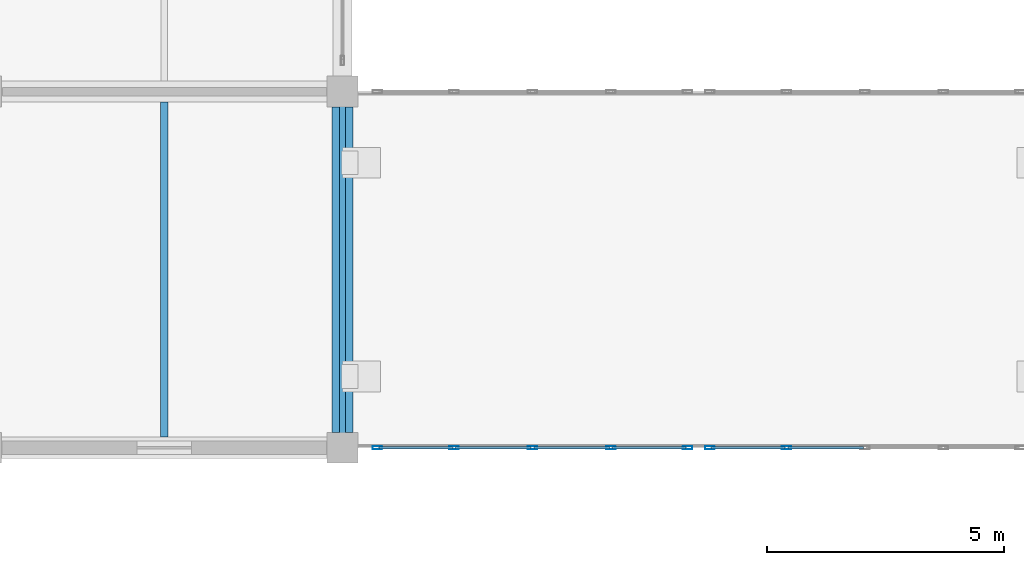
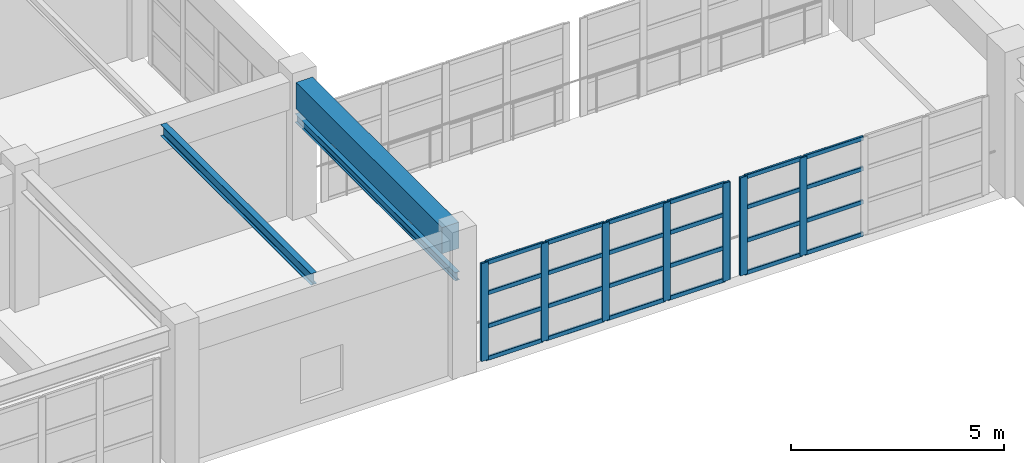
# One storey, part 47 of 132: 31 members, 3 beams, 2 elements without a shape of their own.
"""IFC4 building model written with IfcOpenShell, lengths in metres."""

from ifc_helpers import new_model, si_unit, direction, frame, origin, origin_2d, place, context, subcontext, project, spatial, rectangle, hollow_rectangle, i_section, extrude, material, material_profile, profile_set, type_object, element, aggregate, save


model = new_model("IFC4")

# Units and contexts
model_context = context("Model", 3, precision=1e-05, world=origin(), true_north=direction((0.0, 1.0)))
body_context = subcontext(model_context, "Body", "Model", "MODEL_VIEW")
ifc_project = project(units=[si_unit("LENGTHUNIT", "METRE"), si_unit("AREAUNIT", "SQUARE_METRE"), si_unit("VOLUMEUNIT", "CUBIC_METRE"), si_unit("PLANEANGLEUNIT", "RADIAN"), si_unit("MASSUNIT", "GRAM", prefix="KILO")], contexts=[model_context])

# Site, building, storey
site_placement = place(None, origin())
site = spatial("IfcSite", under=ifc_project, at=site_placement, CompositionType="ELEMENT")
building_placement = place(site_placement, origin())
building = spatial("IfcBuilding", under=site, at=building_placement, Name="Qasida Concert Hall", CompositionType="ELEMENT")
storey_placement = place(building_placement, frame((0.0, 0.0, 4.800048828125)))
storey = spatial("IfcBuildingStorey", under=building, at=storey_placement, Name="L01", CompositionType="ELEMENT", Elevation=4.800048828125)

# Beams
ifc_material_1 = material(Name="Steel S355J2", Category="steel")
ifc_material_profile_1 = material_profile(ifc_material_1, i_section(OverallWidth=0.159912109375, OverallDepth=0.330078125, WebThickness=0.007568359375, FlangeThickness=0.011474609375, FilletRadius=0.01806640625, at=origin_2d()), Name="IPE 330")
ifc_profile_set_1 = profile_set([ifc_material_profile_1], Name="Steel S355J2")
beam_type_1 = type_object("IfcBeamType", Name="BM-J5", PredefinedType="JOIST", material=ifc_profile_set_1)
beam_1_placement = place(storey_placement, frame((33.75, 75.22509765625, 3.7548828125), z_axis=(0.0, 1.0, 0.0), x_axis=(-1.0, 0.0, 0.0)))
element("IfcBeam", 1, at=beam_1_placement, inside=storey, type_object=beam_type_1, Name="L01 secondary joist 1132", PredefinedType="JOIST", context=body_context, shape_type="SweptSolid", body=[
    extrude(i_section(OverallWidth=0.159912109375, OverallDepth=0.330078125, WebThickness=0.007568359375, FlangeThickness=0.011474609375, FilletRadius=0.01806640625, at=origin_2d()), origin(), (0.0, 0.0, 1.0), 7.0498046875),
])
ifc_material_profile_2 = material_profile(ifc_material_1, i_section(OverallWidth=0.1201171875, OverallDepth=0.239990234375, WebThickness=0.006103515625, FlangeThickness=0.009765625, FilletRadius=0.014892578125, at=origin_2d()), Name="IPE 240")
ifc_profile_set_2 = profile_set([ifc_material_profile_2], Name="Steel S355J2")
beam_type_2 = type_object("IfcBeamType", Name="BM-LN2", PredefinedType="LINTEL", material=ifc_profile_set_2)
beam_2_placement = place(storey_placement, frame((37.5, 75.0, 2.64990234375), z_axis=(0.0, 1.0, 0.0), x_axis=(-1.0, 0.0, 0.0)))
element("IfcBeam", 2, at=beam_2_placement, inside=storey, type_object=beam_type_2, Name="L01 portal lintel beam 010", PredefinedType="LINTEL", context=body_context, shape_type="SweptSolid", body=[
    extrude(i_section(OverallWidth=0.1201171875, OverallDepth=0.239990234375, WebThickness=0.006103515625, FlangeThickness=0.009765625, FilletRadius=0.014892578125, at=origin_2d()), origin(), (0.0, 0.0, 1.0), 7.5),
])
ifc_material_2 = material(Name="Concrete C40/50", Category="concrete")
ifc_material_profile_3 = material_profile(ifc_material_2, rectangle(XDim=0.449951171875, YDim=0.75, at=origin_2d()), Name="RC 450x750")
ifc_profile_set_3 = profile_set([ifc_material_profile_3], Name="Concrete C40/50")
beam_type_3 = type_object("IfcBeamType", Name="BM-SP4", PredefinedType="SPANDREL", material=ifc_profile_set_3)
beam_3_placement = place(storey_placement, frame((37.5, 75.324951171875, 3.544921875), z_axis=(0.0, 1.0, 0.0), x_axis=(-1.0, 0.0, 0.0)))
element("IfcBeam", 3, at=beam_3_placement, inside=storey, type_object=beam_type_3, Name="L01 girder 1109", PredefinedType="SPANDREL", context=body_context, shape_type="SweptSolid", body=[
    extrude(rectangle(XDim=0.449951171875, YDim=0.75, at=origin_2d()), origin(), (0.0, 0.0, 1.0), 6.85009765625),
])

# Curtain wall, members
ifc_material_3 = material(Name="Architectural bronze-anodized aluminium and low-E glass", Category="aluminium")
curtain_wall_type = type_object("IfcCurtainWallType", Name="CW-08", PredefinedType="NOTDEFINED", material=ifc_material_3)
curtain_wall_1_placement = place(storey_placement, origin())
curtain_wall_1 = element("IfcCurtainWall", 4, at=curtain_wall_1_placement, inside=storey, type_object=curtain_wall_type, Name="L01 link bridge glazing 0214", PredefinedType="NOTDEFINED")
ifc_material_4 = material(Name="Architectural bronze-anodized aluminium EN AW-6063", Category="aluminium")
ifc_material_profile_4 = material_profile(ifc_material_4, hollow_rectangle(XDim=0.06494140625, YDim=0.199951171875, WallThickness=0.0048828125, InnerFilletRadius=0.0048828125, OuterFilletRadius=0.010009765625, at=origin_2d()), Name="CWM 200x65x5")
ifc_profile_set_4 = profile_set([ifc_material_profile_4], Name="Architectural bronze-anodized aluminium EN AW-6063")
member_type_1 = type_object("IfcMemberType", Name="MB-CWM-2", PredefinedType="MULLION", material=ifc_profile_set_4)
member_1_placement = place(storey_placement, frame((38.232421875, 75.0, 0.0), z_axis=(0.0, 0.0, 1.0), x_axis=(0.0, 1.0, 0.0)))
member_1 = element("IfcMember", 5, at=member_1_placement, type_object=member_type_1, Name="CW-08 mullion 1", PredefinedType="MULLION", context=body_context, shape_type="SweptSolid", body=[
    extrude(hollow_rectangle(XDim=0.06494140625, YDim=0.199951171875, WallThickness=0.0048828125, InnerFilletRadius=0.0048828125, OuterFilletRadius=0.010009765625, at=origin_2d()), origin(), (0.0, 0.0, 1.0), 2.800048828125),
])
member_2_placement = place(storey_placement, frame((39.85009765625, 75.0, 0.0), z_axis=(0.0, 0.0, 1.0), x_axis=(0.0, 1.0, 0.0)))
member_2 = element("IfcMember", 6, at=member_2_placement, type_object=member_type_1, Name="CW-08 mullion 2", PredefinedType="MULLION", context=body_context, shape_type="SweptSolid", body=[
    extrude(hollow_rectangle(XDim=0.06494140625, YDim=0.199951171875, WallThickness=0.0048828125, InnerFilletRadius=0.0048828125, OuterFilletRadius=0.010009765625, at=origin_2d()), origin(), (0.0, 0.0, 1.0), 2.800048828125),
])
member_3_placement = place(storey_placement, frame((41.5, 75.0, 0.0), z_axis=(0.0, 0.0, 1.0), x_axis=(0.0, 1.0, 0.0)))
member_3 = element("IfcMember", 7, at=member_3_placement, type_object=member_type_1, Name="CW-08 mullion 3", PredefinedType="MULLION", context=body_context, shape_type="SweptSolid", body=[
    extrude(hollow_rectangle(XDim=0.06494140625, YDim=0.199951171875, WallThickness=0.0048828125, InnerFilletRadius=0.0048828125, OuterFilletRadius=0.010009765625, at=origin_2d()), origin(), (0.0, 0.0, 1.0), 2.800048828125),
])
member_4_placement = place(storey_placement, frame((43.14990234375, 75.0, 0.0), z_axis=(0.0, 0.0, 1.0), x_axis=(0.0, 1.0, 0.0)))
member_4 = element("IfcMember", 8, at=member_4_placement, type_object=member_type_1, Name="CW-08 mullion 4", PredefinedType="MULLION", context=body_context, shape_type="SweptSolid", body=[
    extrude(hollow_rectangle(XDim=0.06494140625, YDim=0.199951171875, WallThickness=0.0048828125, InnerFilletRadius=0.0048828125, OuterFilletRadius=0.010009765625, at=origin_2d()), origin(), (0.0, 0.0, 1.0), 2.800048828125),
])
member_5_placement = place(storey_placement, frame((44.767578125, 75.0, 0.0), z_axis=(0.0, 0.0, 1.0), x_axis=(0.0, 1.0, 0.0)))
member_5 = element("IfcMember", 9, at=member_5_placement, type_object=member_type_1, Name="CW-08 mullion 5", PredefinedType="MULLION", context=body_context, shape_type="SweptSolid", body=[
    extrude(hollow_rectangle(XDim=0.06494140625, YDim=0.199951171875, WallThickness=0.0048828125, InnerFilletRadius=0.0048828125, OuterFilletRadius=0.010009765625, at=origin_2d()), origin(), (0.0, 0.0, 1.0), 2.800048828125),
])

curtain_wall_2_placement = place(storey_placement, origin())
curtain_wall_2 = element("IfcCurtainWall", 10, at=curtain_wall_2_placement, inside=storey, type_object=curtain_wall_type, Name="L01 link bridge glazing 0216", PredefinedType="NOTDEFINED")
member_6_placement = place(storey_placement, frame((45.232421875, 75.0, 0.0), z_axis=(0.0, 0.0, 1.0), x_axis=(0.0, 1.0, 0.0)))
member_6 = element("IfcMember", 11, at=member_6_placement, type_object=member_type_1, Name="CW-08 mullion 1", PredefinedType="MULLION", context=body_context, shape_type="SweptSolid", body=[
    extrude(hollow_rectangle(XDim=0.06494140625, YDim=0.199951171875, WallThickness=0.0048828125, InnerFilletRadius=0.0048828125, OuterFilletRadius=0.010009765625, at=origin_2d()), origin(), (0.0, 0.0, 1.0), 2.800048828125),
])
member_7_placement = place(storey_placement, frame((46.85009765625, 75.0, 0.0), z_axis=(0.0, 0.0, 1.0), x_axis=(0.0, 1.0, 0.0)))
member_7 = element("IfcMember", 12, at=member_7_placement, type_object=member_type_1, Name="CW-08 mullion 2", PredefinedType="MULLION", context=body_context, shape_type="SweptSolid", body=[
    extrude(hollow_rectangle(XDim=0.06494140625, YDim=0.199951171875, WallThickness=0.0048828125, InnerFilletRadius=0.0048828125, OuterFilletRadius=0.010009765625, at=origin_2d()), origin(), (0.0, 0.0, 1.0), 2.800048828125),
])

# Member
ifc_material_profile_5 = material_profile(ifc_material_4, hollow_rectangle(XDim=0.06005859375, YDim=0.1201171875, WallThickness=0.00390625, InnerFilletRadius=0.00390625, OuterFilletRadius=0.008056640625, at=origin_2d()), Name="CWT 120x60x4")
ifc_profile_set_5 = profile_set([ifc_material_profile_5], Name="Architectural bronze-anodized aluminium EN AW-6063")
member_type_2 = type_object("IfcMemberType", Name="MB-CWT-2", PredefinedType="USERDEFINED", material=ifc_profile_set_5)
member_8_placement = place(storey_placement, frame((38.264892578125, 75.0, 0.030029296875), z_axis=(1.0, 0.0, 0.0), x_axis=(0.0, 1.0, 0.0)))
member_8 = element("IfcMember", 13, at=member_8_placement, type_object=member_type_2, Name="CW-08 transom 1.1", ObjectType="TRANSOM", PredefinedType="USERDEFINED", context=body_context, shape_type="SweptSolid", body=[
    extrude(hollow_rectangle(XDim=0.06005859375, YDim=0.1201171875, WallThickness=0.00390625, InnerFilletRadius=0.00390625, OuterFilletRadius=0.008056640625, at=origin_2d()), origin(), (0.0, 0.0, 1.0), 1.552490234375),
])

member_9_placement = place(storey_placement, frame((38.264892578125, 75.0, 0.949951171875), z_axis=(1.0, 0.0, 0.0), x_axis=(0.0, 1.0, 0.0)))
member_9 = element("IfcMember", 14, at=member_9_placement, type_object=member_type_2, Name="CW-08 transom 1.2", ObjectType="TRANSOM", PredefinedType="USERDEFINED", context=body_context, shape_type="SweptSolid", body=[
    extrude(hollow_rectangle(XDim=0.06005859375, YDim=0.1201171875, WallThickness=0.00390625, InnerFilletRadius=0.00390625, OuterFilletRadius=0.008056640625, at=origin_2d()), origin(), (0.0, 0.0, 1.0), 1.552490234375),
])

member_10_placement = place(storey_placement, frame((38.264892578125, 75.0, 1.89990234375), z_axis=(1.0, 0.0, 0.0), x_axis=(0.0, 1.0, 0.0)))
member_10 = element("IfcMember", 15, at=member_10_placement, type_object=member_type_2, Name="CW-08 transom 1.3", ObjectType="TRANSOM", PredefinedType="USERDEFINED", context=body_context, shape_type="SweptSolid", body=[
    extrude(hollow_rectangle(XDim=0.06005859375, YDim=0.1201171875, WallThickness=0.00390625, InnerFilletRadius=0.00390625, OuterFilletRadius=0.008056640625, at=origin_2d()), origin(), (0.0, 0.0, 1.0), 1.552490234375),
])

member_11_placement = place(storey_placement, frame((38.264892578125, 75.0, 2.77001953125), z_axis=(1.0, 0.0, 0.0), x_axis=(0.0, 1.0, 0.0)))
member_11 = element("IfcMember", 16, at=member_11_placement, type_object=member_type_2, Name="CW-08 transom 1.4", ObjectType="TRANSOM", PredefinedType="USERDEFINED", context=body_context, shape_type="SweptSolid", body=[
    extrude(hollow_rectangle(XDim=0.06005859375, YDim=0.1201171875, WallThickness=0.00390625, InnerFilletRadius=0.00390625, OuterFilletRadius=0.008056640625, at=origin_2d()), origin(), (0.0, 0.0, 1.0), 1.552490234375),
])

member_12_placement = place(storey_placement, frame((39.882568359375, 75.0, 0.030029296875), z_axis=(1.0, 0.0, 0.0), x_axis=(0.0, 1.0, 0.0)))
member_12 = element("IfcMember", 17, at=member_12_placement, type_object=member_type_2, Name="CW-08 transom 2.1", ObjectType="TRANSOM", PredefinedType="USERDEFINED", context=body_context, shape_type="SweptSolid", body=[
    extrude(hollow_rectangle(XDim=0.06005859375, YDim=0.1201171875, WallThickness=0.00390625, InnerFilletRadius=0.00390625, OuterFilletRadius=0.008056640625, at=origin_2d()), origin(), (0.0, 0.0, 1.0), 1.5849609375),
])

member_13_placement = place(storey_placement, frame((39.882568359375, 75.0, 0.949951171875), z_axis=(1.0, 0.0, 0.0), x_axis=(0.0, 1.0, 0.0)))
member_13 = element("IfcMember", 18, at=member_13_placement, type_object=member_type_2, Name="CW-08 transom 2.2", ObjectType="TRANSOM", PredefinedType="USERDEFINED", context=body_context, shape_type="SweptSolid", body=[
    extrude(hollow_rectangle(XDim=0.06005859375, YDim=0.1201171875, WallThickness=0.00390625, InnerFilletRadius=0.00390625, OuterFilletRadius=0.008056640625, at=origin_2d()), origin(), (0.0, 0.0, 1.0), 1.5849609375),
])

member_14_placement = place(storey_placement, frame((39.882568359375, 75.0, 1.89990234375), z_axis=(1.0, 0.0, 0.0), x_axis=(0.0, 1.0, 0.0)))
member_14 = element("IfcMember", 19, at=member_14_placement, type_object=member_type_2, Name="CW-08 transom 2.3", ObjectType="TRANSOM", PredefinedType="USERDEFINED", context=body_context, shape_type="SweptSolid", body=[
    extrude(hollow_rectangle(XDim=0.06005859375, YDim=0.1201171875, WallThickness=0.00390625, InnerFilletRadius=0.00390625, OuterFilletRadius=0.008056640625, at=origin_2d()), origin(), (0.0, 0.0, 1.0), 1.5849609375),
])

member_15_placement = place(storey_placement, frame((39.882568359375, 75.0, 2.77001953125), z_axis=(1.0, 0.0, 0.0), x_axis=(0.0, 1.0, 0.0)))
member_15 = element("IfcMember", 20, at=member_15_placement, type_object=member_type_2, Name="CW-08 transom 2.4", ObjectType="TRANSOM", PredefinedType="USERDEFINED", context=body_context, shape_type="SweptSolid", body=[
    extrude(hollow_rectangle(XDim=0.06005859375, YDim=0.1201171875, WallThickness=0.00390625, InnerFilletRadius=0.00390625, OuterFilletRadius=0.008056640625, at=origin_2d()), origin(), (0.0, 0.0, 1.0), 1.5849609375),
])

member_16_placement = place(storey_placement, frame((41.532470703125, 75.0, 0.030029296875), z_axis=(1.0, 0.0, 0.0), x_axis=(0.0, 1.0, 0.0)))
member_16 = element("IfcMember", 21, at=member_16_placement, type_object=member_type_2, Name="CW-08 transom 3.1", ObjectType="TRANSOM", PredefinedType="USERDEFINED", context=body_context, shape_type="SweptSolid", body=[
    extrude(hollow_rectangle(XDim=0.06005859375, YDim=0.1201171875, WallThickness=0.00390625, InnerFilletRadius=0.00390625, OuterFilletRadius=0.008056640625, at=origin_2d()), origin(), (0.0, 0.0, 1.0), 1.5849609375),
])

member_17_placement = place(storey_placement, frame((41.532470703125, 75.0, 0.949951171875), z_axis=(1.0, 0.0, 0.0), x_axis=(0.0, 1.0, 0.0)))
member_17 = element("IfcMember", 22, at=member_17_placement, type_object=member_type_2, Name="CW-08 transom 3.2", ObjectType="TRANSOM", PredefinedType="USERDEFINED", context=body_context, shape_type="SweptSolid", body=[
    extrude(hollow_rectangle(XDim=0.06005859375, YDim=0.1201171875, WallThickness=0.00390625, InnerFilletRadius=0.00390625, OuterFilletRadius=0.008056640625, at=origin_2d()), origin(), (0.0, 0.0, 1.0), 1.5849609375),
])

member_18_placement = place(storey_placement, frame((41.532470703125, 75.0, 1.89990234375), z_axis=(1.0, 0.0, 0.0), x_axis=(0.0, 1.0, 0.0)))
member_18 = element("IfcMember", 23, at=member_18_placement, type_object=member_type_2, Name="CW-08 transom 3.3", ObjectType="TRANSOM", PredefinedType="USERDEFINED", context=body_context, shape_type="SweptSolid", body=[
    extrude(hollow_rectangle(XDim=0.06005859375, YDim=0.1201171875, WallThickness=0.00390625, InnerFilletRadius=0.00390625, OuterFilletRadius=0.008056640625, at=origin_2d()), origin(), (0.0, 0.0, 1.0), 1.5849609375),
])

member_19_placement = place(storey_placement, frame((41.532470703125, 75.0, 2.77001953125), z_axis=(1.0, 0.0, 0.0), x_axis=(0.0, 1.0, 0.0)))
member_19 = element("IfcMember", 24, at=member_19_placement, type_object=member_type_2, Name="CW-08 transom 3.4", ObjectType="TRANSOM", PredefinedType="USERDEFINED", context=body_context, shape_type="SweptSolid", body=[
    extrude(hollow_rectangle(XDim=0.06005859375, YDim=0.1201171875, WallThickness=0.00390625, InnerFilletRadius=0.00390625, OuterFilletRadius=0.008056640625, at=origin_2d()), origin(), (0.0, 0.0, 1.0), 1.5849609375),
])

member_20_placement = place(storey_placement, frame((43.1826171875, 75.0, 0.030029296875), z_axis=(1.0, 0.0, 0.0), x_axis=(0.0, 1.0, 0.0)))
member_20 = element("IfcMember", 25, at=member_20_placement, type_object=member_type_2, Name="CW-08 transom 4.1", ObjectType="TRANSOM", PredefinedType="USERDEFINED", context=body_context, shape_type="SweptSolid", body=[
    extrude(hollow_rectangle(XDim=0.06005859375, YDim=0.1201171875, WallThickness=0.00390625, InnerFilletRadius=0.00390625, OuterFilletRadius=0.008056640625, at=origin_2d()), origin(), (0.0, 0.0, 1.0), 1.552490234375),
])

member_21_placement = place(storey_placement, frame((43.1826171875, 75.0, 0.949951171875), z_axis=(1.0, 0.0, 0.0), x_axis=(0.0, 1.0, 0.0)))
member_21 = element("IfcMember", 26, at=member_21_placement, type_object=member_type_2, Name="CW-08 transom 4.2", ObjectType="TRANSOM", PredefinedType="USERDEFINED", context=body_context, shape_type="SweptSolid", body=[
    extrude(hollow_rectangle(XDim=0.06005859375, YDim=0.1201171875, WallThickness=0.00390625, InnerFilletRadius=0.00390625, OuterFilletRadius=0.008056640625, at=origin_2d()), origin(), (0.0, 0.0, 1.0), 1.552490234375),
])

member_22_placement = place(storey_placement, frame((43.1826171875, 75.0, 1.89990234375), z_axis=(1.0, 0.0, 0.0), x_axis=(0.0, 1.0, 0.0)))
member_22 = element("IfcMember", 27, at=member_22_placement, type_object=member_type_2, Name="CW-08 transom 4.3", ObjectType="TRANSOM", PredefinedType="USERDEFINED", context=body_context, shape_type="SweptSolid", body=[
    extrude(hollow_rectangle(XDim=0.06005859375, YDim=0.1201171875, WallThickness=0.00390625, InnerFilletRadius=0.00390625, OuterFilletRadius=0.008056640625, at=origin_2d()), origin(), (0.0, 0.0, 1.0), 1.552490234375),
])

member_23_placement = place(storey_placement, frame((43.1826171875, 75.0, 2.77001953125), z_axis=(1.0, 0.0, 0.0), x_axis=(0.0, 1.0, 0.0)))
member_23 = element("IfcMember", 28, at=member_23_placement, type_object=member_type_2, Name="CW-08 transom 4.4", ObjectType="TRANSOM", PredefinedType="USERDEFINED", context=body_context, shape_type="SweptSolid", body=[
    extrude(hollow_rectangle(XDim=0.06005859375, YDim=0.1201171875, WallThickness=0.00390625, InnerFilletRadius=0.00390625, OuterFilletRadius=0.008056640625, at=origin_2d()), origin(), (0.0, 0.0, 1.0), 1.552490234375),
])

aggregate(curtain_wall_1, [member_1, member_2, member_3, member_4, member_5, member_8, member_9, member_10, member_11, member_12, member_13, member_14, member_15, member_16, member_17, member_18, member_19, member_20, member_21, member_22, member_23])

member_24_placement = place(storey_placement, frame((45.264892578125, 75.0, 0.030029296875), z_axis=(1.0, 0.0, 0.0), x_axis=(0.0, 1.0, 0.0)))
member_24 = element("IfcMember", 29, at=member_24_placement, type_object=member_type_2, Name="CW-08 transom 1.1", ObjectType="TRANSOM", PredefinedType="USERDEFINED", context=body_context, shape_type="SweptSolid", body=[
    extrude(hollow_rectangle(XDim=0.06005859375, YDim=0.1201171875, WallThickness=0.00390625, InnerFilletRadius=0.00390625, OuterFilletRadius=0.008056640625, at=origin_2d()), origin(), (0.0, 0.0, 1.0), 1.552490234375),
])

member_25_placement = place(storey_placement, frame((45.264892578125, 75.0, 0.949951171875), z_axis=(1.0, 0.0, 0.0), x_axis=(0.0, 1.0, 0.0)))
member_25 = element("IfcMember", 30, at=member_25_placement, type_object=member_type_2, Name="CW-08 transom 1.2", ObjectType="TRANSOM", PredefinedType="USERDEFINED", context=body_context, shape_type="SweptSolid", body=[
    extrude(hollow_rectangle(XDim=0.06005859375, YDim=0.1201171875, WallThickness=0.00390625, InnerFilletRadius=0.00390625, OuterFilletRadius=0.008056640625, at=origin_2d()), origin(), (0.0, 0.0, 1.0), 1.552490234375),
])

member_26_placement = place(storey_placement, frame((45.264892578125, 75.0, 1.89990234375), z_axis=(1.0, 0.0, 0.0), x_axis=(0.0, 1.0, 0.0)))
member_26 = element("IfcMember", 31, at=member_26_placement, type_object=member_type_2, Name="CW-08 transom 1.3", ObjectType="TRANSOM", PredefinedType="USERDEFINED", context=body_context, shape_type="SweptSolid", body=[
    extrude(hollow_rectangle(XDim=0.06005859375, YDim=0.1201171875, WallThickness=0.00390625, InnerFilletRadius=0.00390625, OuterFilletRadius=0.008056640625, at=origin_2d()), origin(), (0.0, 0.0, 1.0), 1.552490234375),
])

member_27_placement = place(storey_placement, frame((45.264892578125, 75.0, 2.77001953125), z_axis=(1.0, 0.0, 0.0), x_axis=(0.0, 1.0, 0.0)))
member_27 = element("IfcMember", 32, at=member_27_placement, type_object=member_type_2, Name="CW-08 transom 1.4", ObjectType="TRANSOM", PredefinedType="USERDEFINED", context=body_context, shape_type="SweptSolid", body=[
    extrude(hollow_rectangle(XDim=0.06005859375, YDim=0.1201171875, WallThickness=0.00390625, InnerFilletRadius=0.00390625, OuterFilletRadius=0.008056640625, at=origin_2d()), origin(), (0.0, 0.0, 1.0), 1.552490234375),
])

member_28_placement = place(storey_placement, frame((46.882568359375, 75.0, 0.030029296875), z_axis=(1.0, 0.0, 0.0), x_axis=(0.0, 1.0, 0.0)))
member_28 = element("IfcMember", 33, at=member_28_placement, type_object=member_type_2, Name="CW-08 transom 2.1", ObjectType="TRANSOM", PredefinedType="USERDEFINED", context=body_context, shape_type="SweptSolid", body=[
    extrude(hollow_rectangle(XDim=0.06005859375, YDim=0.1201171875, WallThickness=0.00390625, InnerFilletRadius=0.00390625, OuterFilletRadius=0.008056640625, at=origin_2d()), origin(), (0.0, 0.0, 1.0), 1.5849609375),
])

member_29_placement = place(storey_placement, frame((46.882568359375, 75.0, 0.949951171875), z_axis=(1.0, 0.0, 0.0), x_axis=(0.0, 1.0, 0.0)))
member_29 = element("IfcMember", 34, at=member_29_placement, type_object=member_type_2, Name="CW-08 transom 2.2", ObjectType="TRANSOM", PredefinedType="USERDEFINED", context=body_context, shape_type="SweptSolid", body=[
    extrude(hollow_rectangle(XDim=0.06005859375, YDim=0.1201171875, WallThickness=0.00390625, InnerFilletRadius=0.00390625, OuterFilletRadius=0.008056640625, at=origin_2d()), origin(), (0.0, 0.0, 1.0), 1.5849609375),
])

member_30_placement = place(storey_placement, frame((46.882568359375, 75.0, 1.89990234375), z_axis=(1.0, 0.0, 0.0), x_axis=(0.0, 1.0, 0.0)))
member_30 = element("IfcMember", 35, at=member_30_placement, type_object=member_type_2, Name="CW-08 transom 2.3", ObjectType="TRANSOM", PredefinedType="USERDEFINED", context=body_context, shape_type="SweptSolid", body=[
    extrude(hollow_rectangle(XDim=0.06005859375, YDim=0.1201171875, WallThickness=0.00390625, InnerFilletRadius=0.00390625, OuterFilletRadius=0.008056640625, at=origin_2d()), origin(), (0.0, 0.0, 1.0), 1.5849609375),
])

member_31_placement = place(storey_placement, frame((46.882568359375, 75.0, 2.77001953125), z_axis=(1.0, 0.0, 0.0), x_axis=(0.0, 1.0, 0.0)))
member_31 = element("IfcMember", 36, at=member_31_placement, type_object=member_type_2, Name="CW-08 transom 2.4", ObjectType="TRANSOM", PredefinedType="USERDEFINED", context=body_context, shape_type="SweptSolid", body=[
    extrude(hollow_rectangle(XDim=0.06005859375, YDim=0.1201171875, WallThickness=0.00390625, InnerFilletRadius=0.00390625, OuterFilletRadius=0.008056640625, at=origin_2d()), origin(), (0.0, 0.0, 1.0), 1.5849609375),
])

aggregate(curtain_wall_2, [member_6, member_7, member_24, member_25, member_26, member_27, member_28, member_29, member_30, member_31])

save(model, "model.ifc")
